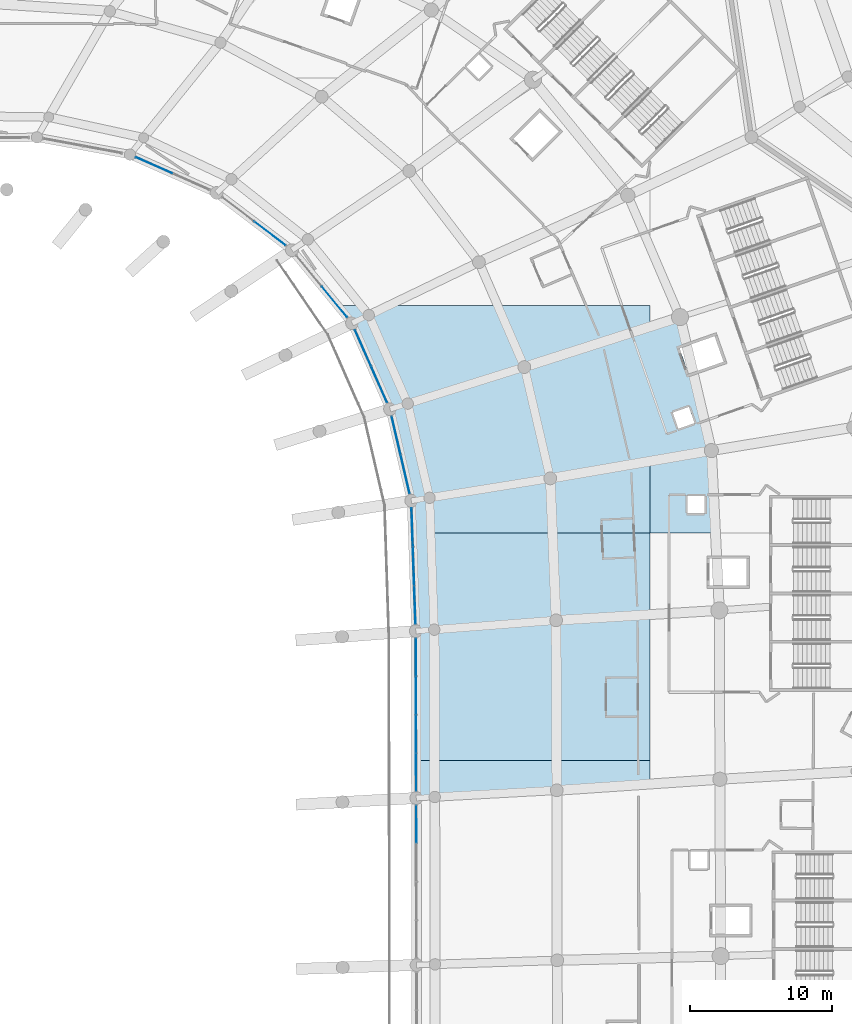
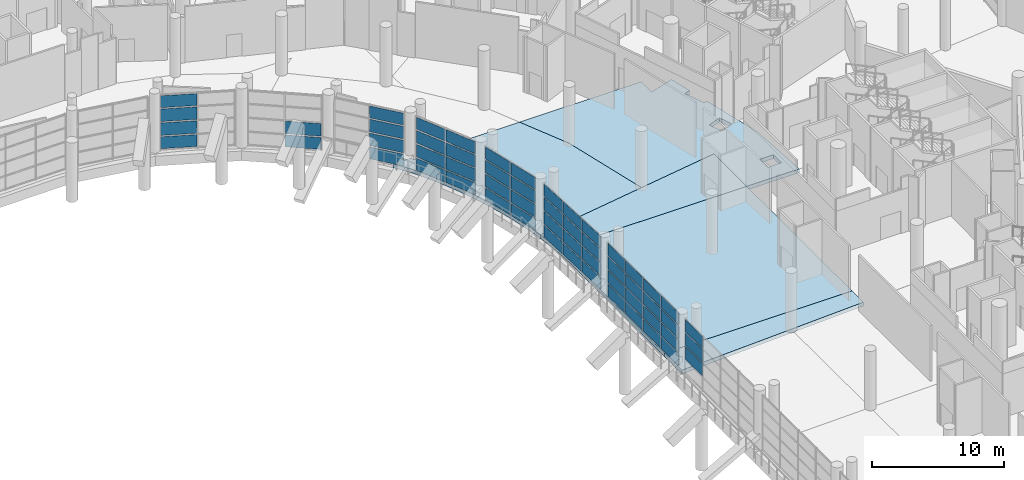
# One storey, part 148 of 271: 57 plates, 5 slabs, 8 elements without a shape of their own.
"""IFC4 building model written with IfcOpenShell, lengths in metres."""

from ifc_helpers import new_model, si_unit, direction, frame, origin, origin_2d, place, context, subcontext, project, spatial, polyline, rectangle, outline, extrude, material, layer, layer_set, type_object, element, aggregate, save


model = new_model("IFC4")

# Units and contexts
model_context = context("Model", 3, precision=1e-05, world=origin(), true_north=direction((0.0, 1.0)))
body_context = subcontext(model_context, "Body", "Model", "MODEL_VIEW")
ifc_project = project(units=[si_unit("LENGTHUNIT", "METRE"), si_unit("AREAUNIT", "SQUARE_METRE"), si_unit("VOLUMEUNIT", "CUBIC_METRE"), si_unit("PLANEANGLEUNIT", "RADIAN"), si_unit("MASSUNIT", "GRAM", prefix="KILO")], contexts=[model_context])

# Site, building, storey
site_placement = place(None, origin())
site = spatial("IfcSite", under=ifc_project, at=site_placement, CompositionType="ELEMENT")
building_placement = place(site_placement, origin())
building = spatial("IfcBuilding", under=site, at=building_placement, Name="Meseta Stadium", CompositionType="ELEMENT")
storey_placement = place(building_placement, frame((0.0, 0.0, 6.5)))
storey = spatial("IfcBuildingStorey", under=building, at=storey_placement, Name="L01", CompositionType="ELEMENT", Elevation=6.5)

# Curtain wall, plates
ifc_material_1 = material(Name="Aluminium", Category="aluminium")
ifc_layer_1 = layer(ifc_material_1, 0.199951171875)
ifc_layer_set_1 = layer_set([ifc_layer_1], Name="Club glazing curtain wall")
curtain_wall_type = type_object("IfcCurtainWallType", Name="Club glazing curtain wall", PredefinedType="NOTDEFINED", material=ifc_layer_set_1)
curtain_wall_1_placement = place(storey_placement, origin())
curtain_wall_1 = element("IfcCurtainWall", 1, at=curtain_wall_1_placement, inside=storey, type_object=curtain_wall_type, Name="Club glazing bay 06", PredefinedType="NOTDEFINED")
ifc_material_2 = material(Name="Glass", Category="glass")
ifc_layer_2 = layer(ifc_material_2, 0.028076171875)
ifc_layer_set_2 = layer_set([ifc_layer_2], Name="CW glass panel 28")
plate_type = type_object("IfcPlateType", Name="CW glass panel 28", PredefinedType="CURTAIN_PANEL", material=ifc_layer_set_2)
plate_1_placement = place(storey_placement, frame((63.569580078125, 27.515869140625, 1.347412109375), z_axis=(0.0, 0.0, 1.0), x_axis=(-0.0018452545, 0.999998297516, 0.0)))
plate_1 = element("IfcPlate", 2, at=plate_1_placement, type_object=plate_type, Name="CWC panel 4.2", PredefinedType="CURTAIN_PANEL", context=body_context, shape_type="SweptSolid", body=[
    extrude(rectangle(XDim=2.61376953125, YDim=0.028076171875, at=origin_2d()), origin(), (0.0, 0.0, 1.0), 1.16748046875),
])
plate_2_placement = place(storey_placement, frame((63.569580078125, 27.515869140625, 2.635009765625), z_axis=(0.0, 0.0, 1.0), x_axis=(-0.0018452545, 0.999998297516, 0.0)))
plate_2 = element("IfcPlate", 3, at=plate_2_placement, type_object=plate_type, Name="CWC panel 4.3", PredefinedType="CURTAIN_PANEL", context=body_context, shape_type="SweptSolid", body=[
    extrude(rectangle(XDim=2.61376953125, YDim=0.028076171875, at=origin_2d()), origin(), (0.0, 0.0, 1.0), 1.16748046875),
])
plate_3_placement = place(storey_placement, frame((63.569580078125, 27.515869140625, 3.922607421875), z_axis=(0.0, 0.0, 1.0), x_axis=(-0.0018452545, 0.999998297516, 0.0)))
plate_3 = element("IfcPlate", 4, at=plate_3_placement, type_object=plate_type, Name="CWC panel 4.4", PredefinedType="CURTAIN_PANEL", context=body_context, shape_type="SweptSolid", body=[
    extrude(rectangle(XDim=2.61376953125, YDim=0.028076171875, at=origin_2d()), origin(), (0.0, 0.0, 1.0), 1.107421875),
])
aggregate(curtain_wall_1, [plate_1, plate_2, plate_3])

curtain_wall_2_placement = place(storey_placement, origin())
curtain_wall_2 = element("IfcCurtainWall", 5, at=curtain_wall_2_placement, inside=storey, type_object=curtain_wall_type, Name="Club glazing bay 07", PredefinedType="NOTDEFINED")
plate_4_placement = place(storey_placement, frame((63.56103515625, 31.1787109375, 0.1201171875), z_axis=(0.0, 0.0, 1.0), x_axis=(-0.002758360998, 0.999996195715, 0.0)))
plate_4 = element("IfcPlate", 6, at=plate_4_placement, type_object=plate_type, Name="CWC panel 1.1", PredefinedType="CURTAIN_PANEL", context=body_context, shape_type="SweptSolid", body=[
    extrude(rectangle(XDim=2.613037109375, YDim=0.028076171875, at=origin_2d()), origin(), (0.0, 0.0, 1.0), 1.107421875),
])
plate_5_placement = place(storey_placement, frame((63.56103515625, 31.1787109375, 1.347412109375), z_axis=(0.0, 0.0, 1.0), x_axis=(-0.002758360998, 0.999996195715, 0.0)))
plate_5 = element("IfcPlate", 7, at=plate_5_placement, type_object=plate_type, Name="CWC panel 1.2", PredefinedType="CURTAIN_PANEL", context=body_context, shape_type="SweptSolid", body=[
    extrude(rectangle(XDim=2.613037109375, YDim=0.028076171875, at=origin_2d()), origin(), (0.0, 0.0, 1.0), 1.16748046875),
])
plate_6_placement = place(storey_placement, frame((63.56103515625, 31.1787109375, 2.635009765625), z_axis=(0.0, 0.0, 1.0), x_axis=(-0.002758360998, 0.999996195715, 0.0)))
plate_6 = element("IfcPlate", 8, at=plate_6_placement, type_object=plate_type, Name="CWC panel 1.3", PredefinedType="CURTAIN_PANEL", context=body_context, shape_type="SweptSolid", body=[
    extrude(rectangle(XDim=2.613037109375, YDim=0.028076171875, at=origin_2d()), origin(), (0.0, 0.0, 1.0), 1.16748046875),
])
plate_7_placement = place(storey_placement, frame((63.56103515625, 31.1787109375, 3.922607421875), z_axis=(0.0, 0.0, 1.0), x_axis=(-0.002758360998, 0.999996195715, 0.0)))
plate_7 = element("IfcPlate", 9, at=plate_7_placement, type_object=plate_type, Name="CWC panel 1.4", PredefinedType="CURTAIN_PANEL", context=body_context, shape_type="SweptSolid", body=[
    extrude(rectangle(XDim=2.613037109375, YDim=0.028076171875, at=origin_2d()), origin(), (0.0, 0.0, 1.0), 1.107421875),
])
plate_8_placement = place(storey_placement, frame((63.5537109375, 33.86669921875, 0.1201171875), z_axis=(0.0, 0.0, 1.0), x_axis=(-0.002758360998, 0.999996195715, 0.0)))
plate_8 = element("IfcPlate", 10, at=plate_8_placement, type_object=plate_type, Name="CWC panel 2.1", PredefinedType="CURTAIN_PANEL", context=body_context, shape_type="SweptSolid", body=[
    extrude(rectangle(XDim=2.64306640625, YDim=0.028076171875, at=origin_2d()), origin(), (0.0, 0.0, 1.0), 1.107421875),
])
plate_9_placement = place(storey_placement, frame((63.5537109375, 33.86669921875, 1.347412109375), z_axis=(0.0, 0.0, 1.0), x_axis=(-0.002758360998, 0.999996195715, 0.0)))
plate_9 = element("IfcPlate", 11, at=plate_9_placement, type_object=plate_type, Name="CWC panel 2.2", PredefinedType="CURTAIN_PANEL", context=body_context, shape_type="SweptSolid", body=[
    extrude(rectangle(XDim=2.64306640625, YDim=0.028076171875, at=origin_2d()), origin(), (0.0, 0.0, 1.0), 1.16748046875),
])
plate_10_placement = place(storey_placement, frame((63.5537109375, 33.86669921875, 2.635009765625), z_axis=(0.0, 0.0, 1.0), x_axis=(-0.002758360998, 0.999996195715, 0.0)))
plate_10 = element("IfcPlate", 12, at=plate_10_placement, type_object=plate_type, Name="CWC panel 2.3", PredefinedType="CURTAIN_PANEL", context=body_context, shape_type="SweptSolid", body=[
    extrude(rectangle(XDim=2.64306640625, YDim=0.028076171875, at=origin_2d()), origin(), (0.0, 0.0, 1.0), 1.16748046875),
])
plate_11_placement = place(storey_placement, frame((63.5537109375, 33.86669921875, 3.922607421875), z_axis=(0.0, 0.0, 1.0), x_axis=(-0.002758360998, 0.999996195715, 0.0)))
plate_11 = element("IfcPlate", 13, at=plate_11_placement, type_object=plate_type, Name="CWC panel 2.4", PredefinedType="CURTAIN_PANEL", context=body_context, shape_type="SweptSolid", body=[
    extrude(rectangle(XDim=2.64306640625, YDim=0.028076171875, at=origin_2d()), origin(), (0.0, 0.0, 1.0), 1.107421875),
])
plate_12_placement = place(storey_placement, frame((63.546142578125, 36.56982421875, 0.1201171875), z_axis=(0.0, 0.0, 1.0), x_axis=(-0.002758360998, 0.999996195715, 0.0)))
plate_12 = element("IfcPlate", 14, at=plate_12_placement, type_object=plate_type, Name="CWC panel 3.1", PredefinedType="CURTAIN_PANEL", context=body_context, shape_type="SweptSolid", body=[
    extrude(rectangle(XDim=2.64306640625, YDim=0.028076171875, at=origin_2d()), origin(), (0.0, 0.0, 1.0), 1.107421875),
])
plate_13_placement = place(storey_placement, frame((63.546142578125, 36.56982421875, 1.347412109375), z_axis=(0.0, 0.0, 1.0), x_axis=(-0.002758360998, 0.999996195715, 0.0)))
plate_13 = element("IfcPlate", 15, at=plate_13_placement, type_object=plate_type, Name="CWC panel 3.2", PredefinedType="CURTAIN_PANEL", context=body_context, shape_type="SweptSolid", body=[
    extrude(rectangle(XDim=2.64306640625, YDim=0.028076171875, at=origin_2d()), origin(), (0.0, 0.0, 1.0), 1.16748046875),
])
plate_14_placement = place(storey_placement, frame((63.546142578125, 36.56982421875, 2.635009765625), z_axis=(0.0, 0.0, 1.0), x_axis=(-0.002758360998, 0.999996195715, 0.0)))
plate_14 = element("IfcPlate", 16, at=plate_14_placement, type_object=plate_type, Name="CWC panel 3.3", PredefinedType="CURTAIN_PANEL", context=body_context, shape_type="SweptSolid", body=[
    extrude(rectangle(XDim=2.64306640625, YDim=0.028076171875, at=origin_2d()), origin(), (0.0, 0.0, 1.0), 1.16748046875),
])
plate_15_placement = place(storey_placement, frame((63.546142578125, 36.56982421875, 3.922607421875), z_axis=(0.0, 0.0, 1.0), x_axis=(-0.002758360998, 0.999996195715, 0.0)))
plate_15 = element("IfcPlate", 17, at=plate_15_placement, type_object=plate_type, Name="CWC panel 3.4", PredefinedType="CURTAIN_PANEL", context=body_context, shape_type="SweptSolid", body=[
    extrude(rectangle(XDim=2.64306640625, YDim=0.028076171875, at=origin_2d()), origin(), (0.0, 0.0, 1.0), 1.107421875),
])
plate_16_placement = place(storey_placement, frame((63.538818359375, 39.2578125, 0.1201171875), z_axis=(0.0, 0.0, 1.0), x_axis=(-0.002758360998, 0.999996195715, 0.0)))
plate_16 = element("IfcPlate", 18, at=plate_16_placement, type_object=plate_type, Name="CWC panel 4.1", PredefinedType="CURTAIN_PANEL", context=body_context, shape_type="SweptSolid", body=[
    extrude(rectangle(XDim=2.613037109375, YDim=0.028076171875, at=origin_2d()), origin(), (0.0, 0.0, 1.0), 1.107421875),
])
plate_17_placement = place(storey_placement, frame((63.538818359375, 39.2578125, 1.347412109375), z_axis=(0.0, 0.0, 1.0), x_axis=(-0.002758360998, 0.999996195715, 0.0)))
plate_17 = element("IfcPlate", 19, at=plate_17_placement, type_object=plate_type, Name="CWC panel 4.2", PredefinedType="CURTAIN_PANEL", context=body_context, shape_type="SweptSolid", body=[
    extrude(rectangle(XDim=2.613037109375, YDim=0.028076171875, at=origin_2d()), origin(), (0.0, 0.0, 1.0), 1.16748046875),
])
plate_18_placement = place(storey_placement, frame((63.538818359375, 39.2578125, 2.635009765625), z_axis=(0.0, 0.0, 1.0), x_axis=(-0.002758360998, 0.999996195715, 0.0)))
plate_18 = element("IfcPlate", 20, at=plate_18_placement, type_object=plate_type, Name="CWC panel 4.3", PredefinedType="CURTAIN_PANEL", context=body_context, shape_type="SweptSolid", body=[
    extrude(rectangle(XDim=2.613037109375, YDim=0.028076171875, at=origin_2d()), origin(), (0.0, 0.0, 1.0), 1.16748046875),
])
plate_19_placement = place(storey_placement, frame((63.538818359375, 39.2578125, 3.922607421875), z_axis=(0.0, 0.0, 1.0), x_axis=(-0.002758360998, 0.999996195715, 0.0)))
plate_19 = element("IfcPlate", 21, at=plate_19_placement, type_object=plate_type, Name="CWC panel 4.4", PredefinedType="CURTAIN_PANEL", context=body_context, shape_type="SweptSolid", body=[
    extrude(rectangle(XDim=2.613037109375, YDim=0.028076171875, at=origin_2d()), origin(), (0.0, 0.0, 1.0), 1.107421875),
])
aggregate(curtain_wall_2, [plate_4, plate_5, plate_6, plate_7, plate_8, plate_9, plate_10, plate_11, plate_12, plate_13, plate_14, plate_15, plate_16, plate_17, plate_18, plate_19])

curtain_wall_3_placement = place(storey_placement, origin())
curtain_wall_3 = element("IfcCurtainWall", 22, at=curtain_wall_3_placement, inside=storey, type_object=curtain_wall_type, Name="Club glazing bay 08", PredefinedType="NOTDEFINED")
plate_20_placement = place(storey_placement, frame((63.470458984375, 42.941650390625, 0.1201171875), z_axis=(0.0, 0.0, 1.0), x_axis=(-0.034398287063, 0.999408203812, 0.0)))
plate_20 = element("IfcPlate", 23, at=plate_20_placement, type_object=plate_type, Name="CWC panel 1.1", PredefinedType="CURTAIN_PANEL", context=body_context, shape_type="SweptSolid", body=[
    extrude(rectangle(XDim=2.6572265625, YDim=0.028076171875, at=origin_2d()), origin(), (0.0, 0.0, 1.0), 1.107421875),
])
plate_21_placement = place(storey_placement, frame((63.470458984375, 42.941650390625, 1.347412109375), z_axis=(0.0, 0.0, 1.0), x_axis=(-0.034398287063, 0.999408203812, 0.0)))
plate_21 = element("IfcPlate", 24, at=plate_21_placement, type_object=plate_type, Name="CWC panel 1.2", PredefinedType="CURTAIN_PANEL", context=body_context, shape_type="SweptSolid", body=[
    extrude(rectangle(XDim=2.6572265625, YDim=0.028076171875, at=origin_2d()), origin(), (0.0, 0.0, 1.0), 1.16748046875),
])
plate_22_placement = place(storey_placement, frame((63.470458984375, 42.941650390625, 2.635009765625), z_axis=(0.0, 0.0, 1.0), x_axis=(-0.034398287063, 0.999408203812, 0.0)))
plate_22 = element("IfcPlate", 25, at=plate_22_placement, type_object=plate_type, Name="CWC panel 1.3", PredefinedType="CURTAIN_PANEL", context=body_context, shape_type="SweptSolid", body=[
    extrude(rectangle(XDim=2.6572265625, YDim=0.028076171875, at=origin_2d()), origin(), (0.0, 0.0, 1.0), 1.16748046875),
])
plate_23_placement = place(storey_placement, frame((63.470458984375, 42.941650390625, 3.922607421875), z_axis=(0.0, 0.0, 1.0), x_axis=(-0.034398287063, 0.999408203812, 0.0)))
plate_23 = element("IfcPlate", 26, at=plate_23_placement, type_object=plate_type, Name="CWC panel 1.4", PredefinedType="CURTAIN_PANEL", context=body_context, shape_type="SweptSolid", body=[
    extrude(rectangle(XDim=2.6572265625, YDim=0.028076171875, at=origin_2d()), origin(), (0.0, 0.0, 1.0), 1.107421875),
])
plate_24_placement = place(storey_placement, frame((63.37646484375, 45.672119140625, 0.1201171875), z_axis=(0.0, 0.0, 1.0), x_axis=(-0.034398287063, 0.999408203812, 0.0)))
plate_24 = element("IfcPlate", 27, at=plate_24_placement, type_object=plate_type, Name="CWC panel 2.1", PredefinedType="CURTAIN_PANEL", context=body_context, shape_type="SweptSolid", body=[
    extrude(rectangle(XDim=2.687255859375, YDim=0.028076171875, at=origin_2d()), origin(), (0.0, 0.0, 1.0), 1.107421875),
])
plate_25_placement = place(storey_placement, frame((63.37646484375, 45.672119140625, 1.347412109375), z_axis=(0.0, 0.0, 1.0), x_axis=(-0.034398287063, 0.999408203812, 0.0)))
plate_25 = element("IfcPlate", 28, at=plate_25_placement, type_object=plate_type, Name="CWC panel 2.2", PredefinedType="CURTAIN_PANEL", context=body_context, shape_type="SweptSolid", body=[
    extrude(rectangle(XDim=2.687255859375, YDim=0.028076171875, at=origin_2d()), origin(), (0.0, 0.0, 1.0), 1.16748046875),
])
plate_26_placement = place(storey_placement, frame((63.37646484375, 45.672119140625, 2.635009765625), z_axis=(0.0, 0.0, 1.0), x_axis=(-0.034398287063, 0.999408203812, 0.0)))
plate_26 = element("IfcPlate", 29, at=plate_26_placement, type_object=plate_type, Name="CWC panel 2.3", PredefinedType="CURTAIN_PANEL", context=body_context, shape_type="SweptSolid", body=[
    extrude(rectangle(XDim=2.687255859375, YDim=0.028076171875, at=origin_2d()), origin(), (0.0, 0.0, 1.0), 1.16748046875),
])
plate_27_placement = place(storey_placement, frame((63.37646484375, 45.672119140625, 3.922607421875), z_axis=(0.0, 0.0, 1.0), x_axis=(-0.034398287063, 0.999408203812, 0.0)))
plate_27 = element("IfcPlate", 30, at=plate_27_placement, type_object=plate_type, Name="CWC panel 2.4", PredefinedType="CURTAIN_PANEL", context=body_context, shape_type="SweptSolid", body=[
    extrude(rectangle(XDim=2.687255859375, YDim=0.028076171875, at=origin_2d()), origin(), (0.0, 0.0, 1.0), 1.107421875),
])
plate_28_placement = place(storey_placement, frame((63.282470703125, 48.40283203125, 0.1201171875), z_axis=(0.0, 0.0, 1.0), x_axis=(-0.034398287063, 0.999408203812, 0.0)))
plate_28 = element("IfcPlate", 31, at=plate_28_placement, type_object=plate_type, Name="CWC panel 3.1", PredefinedType="CURTAIN_PANEL", context=body_context, shape_type="SweptSolid", body=[
    extrude(rectangle(XDim=2.6572265625, YDim=0.028076171875, at=origin_2d()), origin(), (0.0, 0.0, 1.0), 1.107421875),
])
plate_29_placement = place(storey_placement, frame((63.282470703125, 48.40283203125, 1.347412109375), z_axis=(0.0, 0.0, 1.0), x_axis=(-0.034398287063, 0.999408203812, 0.0)))
plate_29 = element("IfcPlate", 32, at=plate_29_placement, type_object=plate_type, Name="CWC panel 3.2", PredefinedType="CURTAIN_PANEL", context=body_context, shape_type="SweptSolid", body=[
    extrude(rectangle(XDim=2.6572265625, YDim=0.028076171875, at=origin_2d()), origin(), (0.0, 0.0, 1.0), 1.16748046875),
])
plate_30_placement = place(storey_placement, frame((63.282470703125, 48.40283203125, 2.635009765625), z_axis=(0.0, 0.0, 1.0), x_axis=(-0.034398287063, 0.999408203812, 0.0)))
plate_30 = element("IfcPlate", 33, at=plate_30_placement, type_object=plate_type, Name="CWC panel 3.3", PredefinedType="CURTAIN_PANEL", context=body_context, shape_type="SweptSolid", body=[
    extrude(rectangle(XDim=2.6572265625, YDim=0.028076171875, at=origin_2d()), origin(), (0.0, 0.0, 1.0), 1.16748046875),
])
plate_31_placement = place(storey_placement, frame((63.282470703125, 48.40283203125, 3.922607421875), z_axis=(0.0, 0.0, 1.0), x_axis=(-0.034398287063, 0.999408203812, 0.0)))
plate_31 = element("IfcPlate", 34, at=plate_31_placement, type_object=plate_type, Name="CWC panel 3.4", PredefinedType="CURTAIN_PANEL", context=body_context, shape_type="SweptSolid", body=[
    extrude(rectangle(XDim=2.6572265625, YDim=0.028076171875, at=origin_2d()), origin(), (0.0, 0.0, 1.0), 1.107421875),
])
aggregate(curtain_wall_3, [plate_20, plate_21, plate_22, plate_23, plate_24, plate_25, plate_26, plate_27, plate_28, plate_29, plate_30, plate_31])

curtain_wall_4_placement = place(storey_placement, origin())
curtain_wall_4 = element("IfcCurtainWall", 35, at=curtain_wall_4_placement, inside=storey, type_object=curtain_wall_type, Name="Club glazing bay 09", PredefinedType="NOTDEFINED")
plate_32_placement = place(storey_placement, frame((62.786865234375, 52.132080078125, 0.1201171875), z_axis=(0.0, 0.0, 1.0), x_axis=(-0.226048245529, 0.974116107399, 0.0)))
plate_32 = element("IfcPlate", 36, at=plate_32_placement, type_object=plate_type, Name="CWC panel 1.1", PredefinedType="CURTAIN_PANEL", context=body_context, shape_type="SweptSolid", body=[
    extrude(rectangle(XDim=2.736572265625, YDim=0.028076171875, at=origin_2d()), origin(), (0.0, 0.0, 1.0), 1.107421875),
])
plate_33_placement = place(storey_placement, frame((62.786865234375, 52.132080078125, 1.347412109375), z_axis=(0.0, 0.0, 1.0), x_axis=(-0.226048245529, 0.974116107399, 0.0)))
plate_33 = element("IfcPlate", 37, at=plate_33_placement, type_object=plate_type, Name="CWC panel 1.2", PredefinedType="CURTAIN_PANEL", context=body_context, shape_type="SweptSolid", body=[
    extrude(rectangle(XDim=2.736572265625, YDim=0.028076171875, at=origin_2d()), origin(), (0.0, 0.0, 1.0), 1.16748046875),
])
plate_34_placement = place(storey_placement, frame((62.786865234375, 52.132080078125, 2.635009765625), z_axis=(0.0, 0.0, 1.0), x_axis=(-0.226048245529, 0.974116107399, 0.0)))
plate_34 = element("IfcPlate", 38, at=plate_34_placement, type_object=plate_type, Name="CWC panel 1.3", PredefinedType="CURTAIN_PANEL", context=body_context, shape_type="SweptSolid", body=[
    extrude(rectangle(XDim=2.736572265625, YDim=0.028076171875, at=origin_2d()), origin(), (0.0, 0.0, 1.0), 1.16748046875),
])
plate_35_placement = place(storey_placement, frame((62.786865234375, 52.132080078125, 3.922607421875), z_axis=(0.0, 0.0, 1.0), x_axis=(-0.226048245529, 0.974116107399, 0.0)))
plate_35 = element("IfcPlate", 39, at=plate_35_placement, type_object=plate_type, Name="CWC panel 1.4", PredefinedType="CURTAIN_PANEL", context=body_context, shape_type="SweptSolid", body=[
    extrude(rectangle(XDim=2.736572265625, YDim=0.028076171875, at=origin_2d()), origin(), (0.0, 0.0, 1.0), 1.107421875),
])
plate_36_placement = place(storey_placement, frame((62.154541015625, 54.856201171875, 0.1201171875), z_axis=(0.0, 0.0, 1.0), x_axis=(-0.226048245529, 0.974116107399, 0.0)))
plate_36 = element("IfcPlate", 40, at=plate_36_placement, type_object=plate_type, Name="CWC panel 2.1", PredefinedType="CURTAIN_PANEL", context=body_context, shape_type="SweptSolid", body=[
    extrude(rectangle(XDim=2.736572265625, YDim=0.028076171875, at=origin_2d()), origin(), (0.0, 0.0, 1.0), 1.107421875),
])
plate_37_placement = place(storey_placement, frame((62.154541015625, 54.856201171875, 1.347412109375), z_axis=(0.0, 0.0, 1.0), x_axis=(-0.226048245529, 0.974116107399, 0.0)))
plate_37 = element("IfcPlate", 41, at=plate_37_placement, type_object=plate_type, Name="CWC panel 2.2", PredefinedType="CURTAIN_PANEL", context=body_context, shape_type="SweptSolid", body=[
    extrude(rectangle(XDim=2.736572265625, YDim=0.028076171875, at=origin_2d()), origin(), (0.0, 0.0, 1.0), 1.16748046875),
])
plate_38_placement = place(storey_placement, frame((62.154541015625, 54.856201171875, 2.635009765625), z_axis=(0.0, 0.0, 1.0), x_axis=(-0.226048245529, 0.974116107399, 0.0)))
plate_38 = element("IfcPlate", 42, at=plate_38_placement, type_object=plate_type, Name="CWC panel 2.3", PredefinedType="CURTAIN_PANEL", context=body_context, shape_type="SweptSolid", body=[
    extrude(rectangle(XDim=2.736572265625, YDim=0.028076171875, at=origin_2d()), origin(), (0.0, 0.0, 1.0), 1.16748046875),
])
plate_39_placement = place(storey_placement, frame((62.154541015625, 54.856201171875, 3.922607421875), z_axis=(0.0, 0.0, 1.0), x_axis=(-0.226048245529, 0.974116107399, 0.0)))
plate_39 = element("IfcPlate", 43, at=plate_39_placement, type_object=plate_type, Name="CWC panel 2.4", PredefinedType="CURTAIN_PANEL", context=body_context, shape_type="SweptSolid", body=[
    extrude(rectangle(XDim=2.736572265625, YDim=0.028076171875, at=origin_2d()), origin(), (0.0, 0.0, 1.0), 1.107421875),
])
aggregate(curtain_wall_4, [plate_32, plate_33, plate_34, plate_35, plate_36, plate_37, plate_38, plate_39])

curtain_wall_5_placement = place(storey_placement, origin())
curtain_wall_5 = element("IfcCurtainWall", 44, at=curtain_wall_5_placement, inside=storey, type_object=curtain_wall_type, Name="Club glazing bay 10", PredefinedType="NOTDEFINED")
plate_40_placement = place(storey_placement, frame((60.950927734375, 58.462890625, 0.1201171875), z_axis=(0.0, 0.0, 1.0), x_axis=(-0.404230353712, 0.914657215102, 0.0)))
plate_40 = element("IfcPlate", 45, at=plate_40_placement, type_object=plate_type, Name="CWC panel 1.1", PredefinedType="CURTAIN_PANEL", context=body_context, shape_type="SweptSolid", body=[
    extrude(rectangle(XDim=2.737060546875, YDim=0.028076171875, at=origin_2d()), origin(), (0.0, 0.0, 1.0), 1.107421875),
])
plate_41_placement = place(storey_placement, frame((60.950927734375, 58.462890625, 1.347412109375), z_axis=(0.0, 0.0, 1.0), x_axis=(-0.404230353712, 0.914657215102, 0.0)))
plate_41 = element("IfcPlate", 46, at=plate_41_placement, type_object=plate_type, Name="CWC panel 1.2", PredefinedType="CURTAIN_PANEL", context=body_context, shape_type="SweptSolid", body=[
    extrude(rectangle(XDim=2.737060546875, YDim=0.028076171875, at=origin_2d()), origin(), (0.0, 0.0, 1.0), 1.16748046875),
])
plate_42_placement = place(storey_placement, frame((60.950927734375, 58.462890625, 2.635009765625), z_axis=(0.0, 0.0, 1.0), x_axis=(-0.404230353712, 0.914657215102, 0.0)))
plate_42 = element("IfcPlate", 47, at=plate_42_placement, type_object=plate_type, Name="CWC panel 1.3", PredefinedType="CURTAIN_PANEL", context=body_context, shape_type="SweptSolid", body=[
    extrude(rectangle(XDim=2.737060546875, YDim=0.028076171875, at=origin_2d()), origin(), (0.0, 0.0, 1.0), 1.16748046875),
])
plate_43_placement = place(storey_placement, frame((60.950927734375, 58.462890625, 3.922607421875), z_axis=(0.0, 0.0, 1.0), x_axis=(-0.404230353712, 0.914657215102, 0.0)))
plate_43 = element("IfcPlate", 48, at=plate_43_placement, type_object=plate_type, Name="CWC panel 1.4", PredefinedType="CURTAIN_PANEL", context=body_context, shape_type="SweptSolid", body=[
    extrude(rectangle(XDim=2.737060546875, YDim=0.028076171875, at=origin_2d()), origin(), (0.0, 0.0, 1.0), 1.107421875),
])
plate_44_placement = place(storey_placement, frame((59.820068359375, 61.021484375, 0.1201171875), z_axis=(0.0, 0.0, 1.0), x_axis=(-0.404230353712, 0.914657215102, 0.0)))
plate_44 = element("IfcPlate", 49, at=plate_44_placement, type_object=plate_type, Name="CWC panel 2.1", PredefinedType="CURTAIN_PANEL", context=body_context, shape_type="SweptSolid", body=[
    extrude(rectangle(XDim=2.737060546875, YDim=0.028076171875, at=origin_2d()), origin(), (0.0, 0.0, 1.0), 1.107421875),
])
plate_45_placement = place(storey_placement, frame((59.820068359375, 61.021484375, 1.347412109375), z_axis=(0.0, 0.0, 1.0), x_axis=(-0.404230353712, 0.914657215102, 0.0)))
plate_45 = element("IfcPlate", 50, at=plate_45_placement, type_object=plate_type, Name="CWC panel 2.2", PredefinedType="CURTAIN_PANEL", context=body_context, shape_type="SweptSolid", body=[
    extrude(rectangle(XDim=2.737060546875, YDim=0.028076171875, at=origin_2d()), origin(), (0.0, 0.0, 1.0), 1.16748046875),
])
plate_46_placement = place(storey_placement, frame((59.820068359375, 61.021484375, 2.635009765625), z_axis=(0.0, 0.0, 1.0), x_axis=(-0.404230353712, 0.914657215102, 0.0)))
plate_46 = element("IfcPlate", 51, at=plate_46_placement, type_object=plate_type, Name="CWC panel 2.3", PredefinedType="CURTAIN_PANEL", context=body_context, shape_type="SweptSolid", body=[
    extrude(rectangle(XDim=2.737060546875, YDim=0.028076171875, at=origin_2d()), origin(), (0.0, 0.0, 1.0), 1.16748046875),
])
plate_47_placement = place(storey_placement, frame((59.820068359375, 61.021484375, 3.922607421875), z_axis=(0.0, 0.0, 1.0), x_axis=(-0.404230353712, 0.914657215102, 0.0)))
plate_47 = element("IfcPlate", 52, at=plate_47_placement, type_object=plate_type, Name="CWC panel 2.4", PredefinedType="CURTAIN_PANEL", context=body_context, shape_type="SweptSolid", body=[
    extrude(rectangle(XDim=2.737060546875, YDim=0.028076171875, at=origin_2d()), origin(), (0.0, 0.0, 1.0), 1.107421875),
])
aggregate(curtain_wall_5, [plate_40, plate_41, plate_42, plate_43, plate_44, plate_45, plate_46, plate_47])

curtain_wall_6_placement = place(storey_placement, origin())
curtain_wall_6 = element("IfcCurtainWall", 53, at=curtain_wall_6_placement, inside=storey, type_object=curtain_wall_type, Name="Club glazing bay 11", PredefinedType="NOTDEFINED")
plate_48_placement = place(storey_placement, frame((57.818359375, 64.260498046875, 0.1201171875), z_axis=(0.0, 0.0, 1.0), x_axis=(-0.63574102663, 0.771902420685, 0.0)))
plate_48 = element("IfcPlate", 54, at=plate_48_placement, type_object=plate_type, Name="CWC panel 1.1", PredefinedType="CURTAIN_PANEL", context=body_context, shape_type="SweptSolid", body=[
    extrude(rectangle(XDim=2.7646484375, YDim=0.028076171875, at=origin_2d()), origin(), (0.0, 0.0, 1.0), 1.107421875),
])
plate_49_placement = place(storey_placement, frame((57.818359375, 64.260498046875, 1.347412109375), z_axis=(0.0, 0.0, 1.0), x_axis=(-0.63574102663, 0.771902420685, 0.0)))
plate_49 = element("IfcPlate", 55, at=plate_49_placement, type_object=plate_type, Name="CWC panel 1.2", PredefinedType="CURTAIN_PANEL", context=body_context, shape_type="SweptSolid", body=[
    extrude(rectangle(XDim=2.7646484375, YDim=0.028076171875, at=origin_2d()), origin(), (0.0, 0.0, 1.0), 1.16748046875),
])
plate_50_placement = place(storey_placement, frame((57.818359375, 64.260498046875, 2.635009765625), z_axis=(0.0, 0.0, 1.0), x_axis=(-0.63574102663, 0.771902420685, 0.0)))
plate_50 = element("IfcPlate", 56, at=plate_50_placement, type_object=plate_type, Name="CWC panel 1.3", PredefinedType="CURTAIN_PANEL", context=body_context, shape_type="SweptSolid", body=[
    extrude(rectangle(XDim=2.7646484375, YDim=0.028076171875, at=origin_2d()), origin(), (0.0, 0.0, 1.0), 1.16748046875),
])
plate_51_placement = place(storey_placement, frame((57.818359375, 64.260498046875, 3.922607421875), z_axis=(0.0, 0.0, 1.0), x_axis=(-0.63574102663, 0.771902420685, 0.0)))
plate_51 = element("IfcPlate", 57, at=plate_51_placement, type_object=plate_type, Name="CWC panel 1.4", PredefinedType="CURTAIN_PANEL", context=body_context, shape_type="SweptSolid", body=[
    extrude(rectangle(XDim=2.7646484375, YDim=0.028076171875, at=origin_2d()), origin(), (0.0, 0.0, 1.0), 1.107421875),
])
aggregate(curtain_wall_6, [plate_48, plate_49, plate_50, plate_51])

curtain_wall_7_placement = place(storey_placement, origin())
curtain_wall_7 = element("IfcCurtainWall", 58, at=curtain_wall_7_placement, inside=storey, type_object=curtain_wall_type, Name="Club glazing bay 12", PredefinedType="NOTDEFINED")
plate_52_placement = place(storey_placement, frame((53.26953125, 69.077880859375, 0.1201171875), z_axis=(0.0, 0.0, 1.0), x_axis=(-0.796590021375, 0.604519923448, 0.0)))
plate_52 = element("IfcPlate", 59, at=plate_52_placement, type_object=plate_type, Name="CWC panel 1.1", PredefinedType="CURTAIN_PANEL", context=body_context, shape_type="SweptSolid", body=[
    extrude(rectangle(XDim=2.759765625, YDim=0.028076171875, at=origin_2d()), origin(), (0.0, 0.0, 1.0), 1.107421875),
])
plate_53_placement = place(storey_placement, frame((53.26953125, 69.077880859375, 1.347412109375), z_axis=(0.0, 0.0, 1.0), x_axis=(-0.796590021375, 0.604519923448, 0.0)))
plate_53 = element("IfcPlate", 60, at=plate_53_placement, type_object=plate_type, Name="CWC panel 1.2", PredefinedType="CURTAIN_PANEL", context=body_context, shape_type="SweptSolid", body=[
    extrude(rectangle(XDim=2.759765625, YDim=0.028076171875, at=origin_2d()), origin(), (0.0, 0.0, 1.0), 1.16748046875),
])
aggregate(curtain_wall_7, [plate_52, plate_53])

curtain_wall_8_placement = place(storey_placement, origin())
curtain_wall_8 = element("IfcCurtainWall", 61, at=curtain_wall_8_placement, inside=storey, type_object=curtain_wall_type, Name="Club glazing bay 13", PredefinedType="NOTDEFINED")
plate_54_placement = place(storey_placement, frame((45.120849609375, 73.869873046875, 0.1201171875), z_axis=(0.0, 0.0, 1.0), x_axis=(-0.914527256817, 0.40452428424, 0.0)))
plate_54 = element("IfcPlate", 62, at=plate_54_placement, type_object=plate_type, Name="CWC panel 2.1", PredefinedType="CURTAIN_PANEL", context=body_context, shape_type="SweptSolid", body=[
    extrude(rectangle(XDim=2.777099609375, YDim=0.028076171875, at=origin_2d()), origin(), (0.0, 0.0, 1.0), 1.107421875),
])
plate_55_placement = place(storey_placement, frame((45.120849609375, 73.869873046875, 1.347412109375), z_axis=(0.0, 0.0, 1.0), x_axis=(-0.914527256817, 0.40452428424, 0.0)))
plate_55 = element("IfcPlate", 63, at=plate_55_placement, type_object=plate_type, Name="CWC panel 2.2", PredefinedType="CURTAIN_PANEL", context=body_context, shape_type="SweptSolid", body=[
    extrude(rectangle(XDim=2.777099609375, YDim=0.028076171875, at=origin_2d()), origin(), (0.0, 0.0, 1.0), 1.16748046875),
])
plate_56_placement = place(storey_placement, frame((45.120849609375, 73.869873046875, 2.635009765625), z_axis=(0.0, 0.0, 1.0), x_axis=(-0.914527256817, 0.40452428424, 0.0)))
plate_56 = element("IfcPlate", 64, at=plate_56_placement, type_object=plate_type, Name="CWC panel 2.3", PredefinedType="CURTAIN_PANEL", context=body_context, shape_type="SweptSolid", body=[
    extrude(rectangle(XDim=2.777099609375, YDim=0.028076171875, at=origin_2d()), origin(), (0.0, 0.0, 1.0), 1.16748046875),
])
plate_57_placement = place(storey_placement, frame((45.120849609375, 73.869873046875, 3.922607421875), z_axis=(0.0, 0.0, 1.0), x_axis=(-0.914527256817, 0.40452428424, 0.0)))
plate_57 = element("IfcPlate", 65, at=plate_57_placement, type_object=plate_type, Name="CWC panel 2.4", PredefinedType="CURTAIN_PANEL", context=body_context, shape_type="SweptSolid", body=[
    extrude(rectangle(XDim=2.777099609375, YDim=0.028076171875, at=origin_2d()), origin(), (0.0, 0.0, 1.0), 1.107421875),
])
aggregate(curtain_wall_8, [plate_54, plate_55, plate_56, plate_57])

# Slabs
ifc_material_3 = material(Name="Concrete C40/50", Category="concrete")
ifc_layer_3 = layer(ifc_material_3, 0.35009765625)
ifc_layer_set_3 = layer_set([ifc_layer_3], Name="Floor slab 350")
slab_type = type_object("IfcSlabType", Name="Floor slab 350", PredefinedType="FLOOR", material=ifc_layer_set_3)
slab_1_placement = place(storey_placement, frame((0.0, 0.0, -0.35009765625)))
element("IfcSlab", 66, at=slab_1_placement, inside=storey, type_object=slab_type, Name="Floor slab L01 sector 07 panel 05", PredefinedType="FLOOR", context=body_context, shape_type="SweptSolid", body=[
    extrude(outline(polyline([(61.6142578125, 64.0), (60.22216796875, 63.33056640625), (59.68408203125, 64.0), (58.201416015625, 64.0), (58.428955078125, 63.688232421875), (59.049072265625, 62.766357421875), (59.587890625, 61.80078125), (60.077392578125, 60.810791015625), (60.535888671875, 59.80615234375), (60.96337890625, 58.7880859375), (61.359375, 57.7578125), (61.72314453125, 56.715576171875), (62.0546875, 55.66259765625), (62.353515625, 54.60009765625), (62.61962890625, 53.52880859375), (62.8525390625, 52.449951171875), (63.052001953125, 51.3642578125), (63.21826171875, 50.27294921875), (72.9921875, 51.84716796875), (71.169677734375, 59.67724609375), (69.297119140625, 64.0), (61.6142578125, 64.0)])), origin(), (0.0, 0.0, 1.0), 0.35009765625),
])
slab_2_placement = place(storey_placement, frame((0.0, 0.0, -0.35009765625)))
element("IfcSlab", 67, at=slab_2_placement, inside=storey, type_object=slab_type, Name="Floor slab L01 sector 07 panel 07", PredefinedType="FLOOR", context=body_context, shape_type="SweptSolid", body=[
    extrude(outline(polyline([(80.0, 30.273193359375), (80.0, 32.0), (63.559814453125, 32.0), (63.566162109375, 29.372314453125), (80.0, 30.273193359375)])), origin(), (0.0, 0.0, 1.0), 0.35009765625),
])
slab_3_placement = place(storey_placement, frame((0.0, 0.0, -0.35009765625)))
element("IfcSlab", 68, at=slab_3_placement, inside=storey, type_object=slab_type, Name="Floor slab L01 sector 07 panel 08", PredefinedType="FLOOR", context=body_context, shape_type="SweptSolid", body=[
    extrude(outline(polyline([(64.501708984375, 50.479736328125), (63.21826171875, 50.27294921875), (63.3505859375, 49.177001953125), (63.448974609375, 48.077392578125), (63.513427734375, 46.974853515625), (63.53369140625, 41.1044921875), (63.559814453125, 32.0), (80.0, 32.0), (80.0, 48.0), (64.58935546875, 48.0), (64.501708984375, 50.479736328125)])), origin(), (0.0, 0.0, 1.0), 0.35009765625),
])
slab_4_placement = place(storey_placement, frame((0.0, 0.0, -0.35009765625)))
element("IfcSlab", 69, at=slab_4_placement, inside=storey, type_object=slab_type, Name="Floor slab L01 sector 07 panel 10", PredefinedType="FLOOR", context=body_context, shape_type="SweptSolid", body=[
    extrude(outline(polyline([(64.501708984375, 50.479736328125), (64.58935546875, 48.0), (80.0, 48.0), (80.0, 52.975830078125), (64.501708984375, 50.479736328125)])), origin(), (0.0, 0.0, 1.0), 0.35009765625),
])
slab_5_placement = place(storey_placement, frame((0.0, 0.0, -0.35009765625)))
element("IfcSlab", 70, at=slab_5_placement, inside=storey, type_object=slab_type, Name="Floor slab L01 sector 07 panel 11", PredefinedType="FLOOR", context=body_context, shape_type="SweptSolid", body=[
    extrude(outline(polyline([(82.137451171875, 63.115966796875), (80.0, 62.44580078125), (80.0, 64.0), (69.297119140625, 64.0), (71.169677734375, 59.67724609375), (72.9921875, 51.84716796875), (80.0, 52.975830078125), (80.0, 48.0), (84.613525390625, 48.0), (84.3251953125, 53.801513671875), (83.032958984375, 59.30322265625), (82.723876953125, 59.195068359375), (82.09619140625, 60.988525390625), (82.59619140625, 61.163330078125), (82.137451171875, 63.115966796875)]), holes=[polyline([(82.006103515625, 55.341796875), (81.60986328125, 56.474609375), (82.74267578125, 56.870849609375), (83.138916015625, 55.73828125), (82.006103515625, 55.341796875)]), polyline([(83.85009765625, 49.39990234375), (82.64990234375, 49.39990234375), (82.64990234375, 50.60009765625), (83.85009765625, 50.60009765625), (83.85009765625, 49.39990234375)])]), origin(), (0.0, 0.0, 1.0), 0.35009765625),
])

save(model, "model.ifc")
